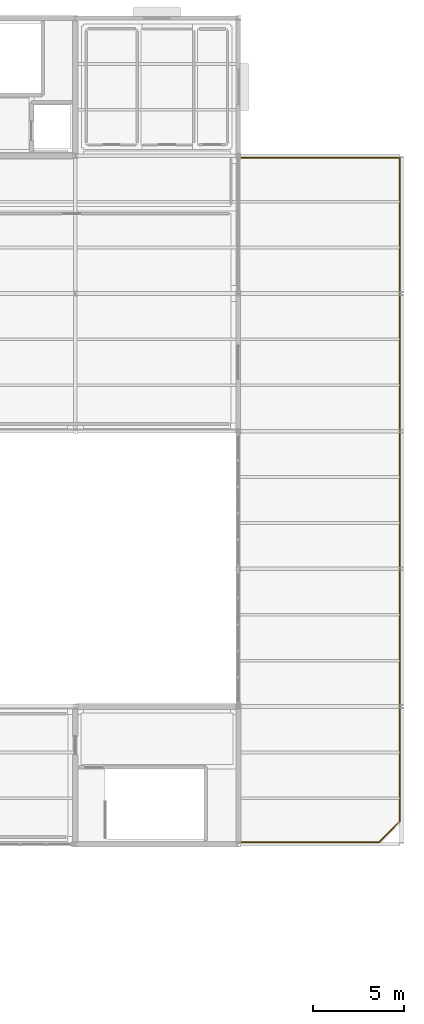
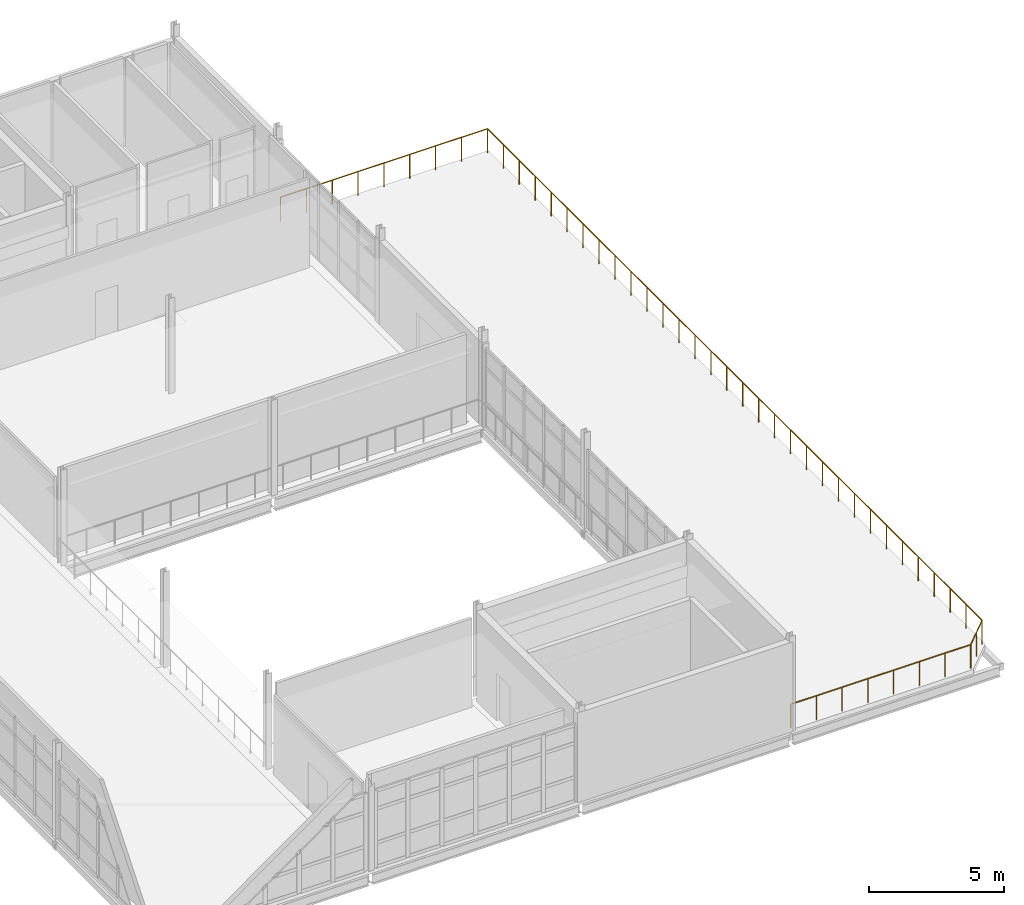
# One storey, part 48 of 48: 1 railing.
"""IFC4 building model written with IfcOpenShell, lengths in metres."""

from ifc_helpers import new_model, si_unit, direction, frame, origin, origin_2d, place, context, subcontext, project, spatial, circle, extrude, material, type_object, element, save


model = new_model("IFC4")

# Units and contexts
model_context = context("Model", 3, precision=1e-05, world=origin(), true_north=direction((0.0, 1.0)))
body_context = subcontext(model_context, "Body", "Model", "MODEL_VIEW")
ifc_project = project(units=[si_unit("LENGTHUNIT", "METRE"), si_unit("AREAUNIT", "SQUARE_METRE"), si_unit("VOLUMEUNIT", "CUBIC_METRE"), si_unit("PLANEANGLEUNIT", "RADIAN"), si_unit("MASSUNIT", "GRAM", prefix="KILO")], contexts=[model_context])

# Site, building, storey
site_placement = place(None, origin())
site = spatial("IfcSite", under=ifc_project, at=site_placement, CompositionType="ELEMENT")
building_placement = place(site_placement, origin())
building = spatial("IfcBuilding", under=site, at=building_placement, Name="Caisbarro Railhouse Central Library", CompositionType="ELEMENT")
storey_placement = place(building_placement, frame((0.0, 0.0, 18.0)))
storey = spatial("IfcBuildingStorey", under=building, at=storey_placement, Name="L04", CompositionType="ELEMENT", Elevation=18.0)

# Railing
ifc_material = material(Name="Brushed stainless steel Grade 316", Category="steel")
railing_type = type_object("IfcRailingType", Name="RLG-EXT110", PredefinedType="GUARDRAIL", material=ifc_material)
railing_placement = place(storey_placement, frame((144.050048828125, 68.5, 0.0)))
element("IfcRailing", 1, at=railing_placement, inside=storey, type_object=railing_type, Name="RG01 Terrace Guardrail TR-L04-A", PredefinedType="GUARDRAIL", context=body_context, shape_type="SweptSolid", body=[
    extrude(circle(Radius=0.02392578125, at=origin_2d()), frame((0.0, 0.0, 1.076171875), z_axis=(1.0, 0.0, 0.0), x_axis=(0.0, 1.0, 0.0)), (0.0, 0.0, 1.0), 7.699951171875),
    extrude(circle(Radius=0.02392578125, at=origin_2d()), frame((7.699951171875, 0.0, 1.076171875), z_axis=(0.707106781187, 0.707106781187, 0.0), x_axis=(-0.707106781187, 0.707106781187, 0.0)), (0.0, 0.0, 1.0), 1.626220703125),
    extrude(circle(Radius=0.02392578125, at=origin_2d()), frame((8.849853515625, 1.14990234375, 1.076171875), z_axis=(0.0, 1.0, 0.0), x_axis=(-1.0, 0.0, 0.0)), (0.0, 0.0, 1.0), 36.650146484375),
    extrude(circle(Radius=0.02392578125, at=origin_2d()), frame((8.849853515625, 37.800048828125, 1.076171875), z_axis=(-1.0, 0.0, 0.0), x_axis=(0.0, -1.0, 0.0)), (0.0, 0.0, 1.0), 8.849853515625),
    extrude(circle(Radius=0.02099609375, at=origin_2d()), origin(), (0.0, 0.0, 1.0), 1.052001953125),
    extrude(circle(Radius=0.02099609375, at=origin_2d()), frame((1.10009765625, 0.0, 0.0)), (0.0, 0.0, 1.0), 1.052001953125),
    extrude(circle(Radius=0.02099609375, at=origin_2d()), frame((2.199951171875, 0.0, 0.0)), (0.0, 0.0, 1.0), 1.052001953125),
    extrude(circle(Radius=0.02099609375, at=origin_2d()), frame((3.300048828125, 0.0, 0.0)), (0.0, 0.0, 1.0), 1.052001953125),
    extrude(circle(Radius=0.02099609375, at=origin_2d()), frame((4.39990234375, 0.0, 0.0)), (0.0, 0.0, 1.0), 1.052001953125),
    extrude(circle(Radius=0.02099609375, at=origin_2d()), frame((5.5, 0.0, 0.0)), (0.0, 0.0, 1.0), 1.052001953125),
    extrude(circle(Radius=0.02099609375, at=origin_2d()), frame((6.599853515625, 0.0, 0.0)), (0.0, 0.0, 1.0), 1.052001953125),
    extrude(circle(Radius=0.02099609375, at=origin_2d()), frame((7.699951171875, 0.0, 0.0)), (0.0, 0.0, 1.0), 1.052001953125),
    extrude(circle(Radius=0.02099609375, at=origin_2d()), frame((8.27490234375, 0.574951171875, 0.0)), (0.0, 0.0, 1.0), 1.052001953125),
    extrude(circle(Radius=0.02099609375, at=origin_2d()), frame((8.849853515625, 1.14990234375, 0.0)), (0.0, 0.0, 1.0), 1.052001953125),
    extrude(circle(Radius=0.02099609375, at=origin_2d()), frame((8.849853515625, 2.332275390625, 0.0)), (0.0, 0.0, 1.0), 1.052001953125),
    extrude(circle(Radius=0.02099609375, at=origin_2d()), frame((8.849853515625, 3.514404296875, 0.0)), (0.0, 0.0, 1.0), 1.052001953125),
    extrude(circle(Radius=0.02099609375, at=origin_2d()), frame((8.849853515625, 4.69677734375, 0.0)), (0.0, 0.0, 1.0), 1.052001953125),
    extrude(circle(Radius=0.02099609375, at=origin_2d()), frame((8.849853515625, 5.87890625, 0.0)), (0.0, 0.0, 1.0), 1.052001953125),
    extrude(circle(Radius=0.02099609375, at=origin_2d()), frame((8.849853515625, 7.061279296875, 0.0)), (0.0, 0.0, 1.0), 1.052001953125),
    extrude(circle(Radius=0.02099609375, at=origin_2d()), frame((8.849853515625, 8.243408203125, 0.0)), (0.0, 0.0, 1.0), 1.052001953125),
    extrude(circle(Radius=0.02099609375, at=origin_2d()), frame((8.849853515625, 9.42578125, 0.0)), (0.0, 0.0, 1.0), 1.052001953125),
    extrude(circle(Radius=0.02099609375, at=origin_2d()), frame((8.849853515625, 10.60791015625, 0.0)), (0.0, 0.0, 1.0), 1.052001953125),
    extrude(circle(Radius=0.02099609375, at=origin_2d()), frame((8.849853515625, 11.790283203125, 0.0)), (0.0, 0.0, 1.0), 1.052001953125),
    extrude(circle(Radius=0.02099609375, at=origin_2d()), frame((8.849853515625, 12.972412109375, 0.0)), (0.0, 0.0, 1.0), 1.052001953125),
    extrude(circle(Radius=0.02099609375, at=origin_2d()), frame((8.849853515625, 14.15478515625, 0.0)), (0.0, 0.0, 1.0), 1.052001953125),
    extrude(circle(Radius=0.02099609375, at=origin_2d()), frame((8.849853515625, 15.337158203125, 0.0)), (0.0, 0.0, 1.0), 1.052001953125),
    extrude(circle(Radius=0.02099609375, at=origin_2d()), frame((8.849853515625, 16.519287109375, 0.0)), (0.0, 0.0, 1.0), 1.052001953125),
    extrude(circle(Radius=0.02099609375, at=origin_2d()), frame((8.849853515625, 17.70166015625, 0.0)), (0.0, 0.0, 1.0), 1.052001953125),
    extrude(circle(Radius=0.02099609375, at=origin_2d()), frame((8.849853515625, 18.8837890625, 0.0)), (0.0, 0.0, 1.0), 1.052001953125),
    extrude(circle(Radius=0.02099609375, at=origin_2d()), frame((8.849853515625, 20.066162109375, 0.0)), (0.0, 0.0, 1.0), 1.052001953125),
    extrude(circle(Radius=0.02099609375, at=origin_2d()), frame((8.849853515625, 21.248291015625, 0.0)), (0.0, 0.0, 1.0), 1.052001953125),
    extrude(circle(Radius=0.02099609375, at=origin_2d()), frame((8.849853515625, 22.4306640625, 0.0)), (0.0, 0.0, 1.0), 1.052001953125),
    extrude(circle(Radius=0.02099609375, at=origin_2d()), frame((8.849853515625, 23.61279296875, 0.0)), (0.0, 0.0, 1.0), 1.052001953125),
    extrude(circle(Radius=0.02099609375, at=origin_2d()), frame((8.849853515625, 24.795166015625, 0.0)), (0.0, 0.0, 1.0), 1.052001953125),
    extrude(circle(Radius=0.02099609375, at=origin_2d()), frame((8.849853515625, 25.9775390625, 0.0)), (0.0, 0.0, 1.0), 1.052001953125),
    extrude(circle(Radius=0.02099609375, at=origin_2d()), frame((8.849853515625, 27.15966796875, 0.0)), (0.0, 0.0, 1.0), 1.052001953125),
    extrude(circle(Radius=0.02099609375, at=origin_2d()), frame((8.849853515625, 28.342041015625, 0.0)), (0.0, 0.0, 1.0), 1.052001953125),
    extrude(circle(Radius=0.02099609375, at=origin_2d()), frame((8.849853515625, 29.524169921875, 0.0)), (0.0, 0.0, 1.0), 1.052001953125),
    extrude(circle(Radius=0.02099609375, at=origin_2d()), frame((8.849853515625, 30.70654296875, 0.0)), (0.0, 0.0, 1.0), 1.052001953125),
    extrude(circle(Radius=0.02099609375, at=origin_2d()), frame((8.849853515625, 31.888671875, 0.0)), (0.0, 0.0, 1.0), 1.052001953125),
    extrude(circle(Radius=0.02099609375, at=origin_2d()), frame((8.849853515625, 33.071044921875, 0.0)), (0.0, 0.0, 1.0), 1.052001953125),
    extrude(circle(Radius=0.02099609375, at=origin_2d()), frame((8.849853515625, 34.253173828125, 0.0)), (0.0, 0.0, 1.0), 1.052001953125),
    extrude(circle(Radius=0.02099609375, at=origin_2d()), frame((8.849853515625, 35.435546875, 0.0)), (0.0, 0.0, 1.0), 1.052001953125),
    extrude(circle(Radius=0.02099609375, at=origin_2d()), frame((8.849853515625, 36.61767578125, 0.0)), (0.0, 0.0, 1.0), 1.052001953125),
    extrude(circle(Radius=0.02099609375, at=origin_2d()), frame((8.849853515625, 37.800048828125, 0.0)), (0.0, 0.0, 1.0), 1.052001953125),
    extrude(circle(Radius=0.02099609375, at=origin_2d()), frame((7.74365234375, 37.800048828125, 0.0)), (0.0, 0.0, 1.0), 1.052001953125),
    extrude(circle(Radius=0.02099609375, at=origin_2d()), frame((6.637451171875, 37.800048828125, 0.0)), (0.0, 0.0, 1.0), 1.052001953125),
    extrude(circle(Radius=0.02099609375, at=origin_2d()), frame((5.53125, 37.800048828125, 0.0)), (0.0, 0.0, 1.0), 1.052001953125),
    extrude(circle(Radius=0.02099609375, at=origin_2d()), frame((4.4248046875, 37.800048828125, 0.0)), (0.0, 0.0, 1.0), 1.052001953125),
    extrude(circle(Radius=0.02099609375, at=origin_2d()), frame((3.318603515625, 37.800048828125, 0.0)), (0.0, 0.0, 1.0), 1.052001953125),
    extrude(circle(Radius=0.02099609375, at=origin_2d()), frame((2.21240234375, 37.800048828125, 0.0)), (0.0, 0.0, 1.0), 1.052001953125),
    extrude(circle(Radius=0.02099609375, at=origin_2d()), frame((1.106201171875, 37.800048828125, 0.0)), (0.0, 0.0, 1.0), 1.052001953125),
    extrude(circle(Radius=0.02099609375, at=origin_2d()), frame((0.0, 37.800048828125, 0.0)), (0.0, 0.0, 1.0), 1.052001953125),
])

save(model, "model.ifc")
